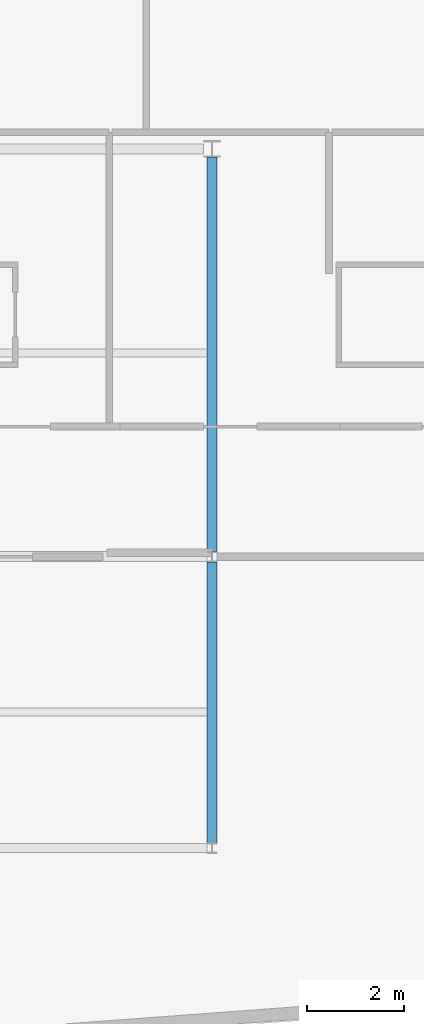
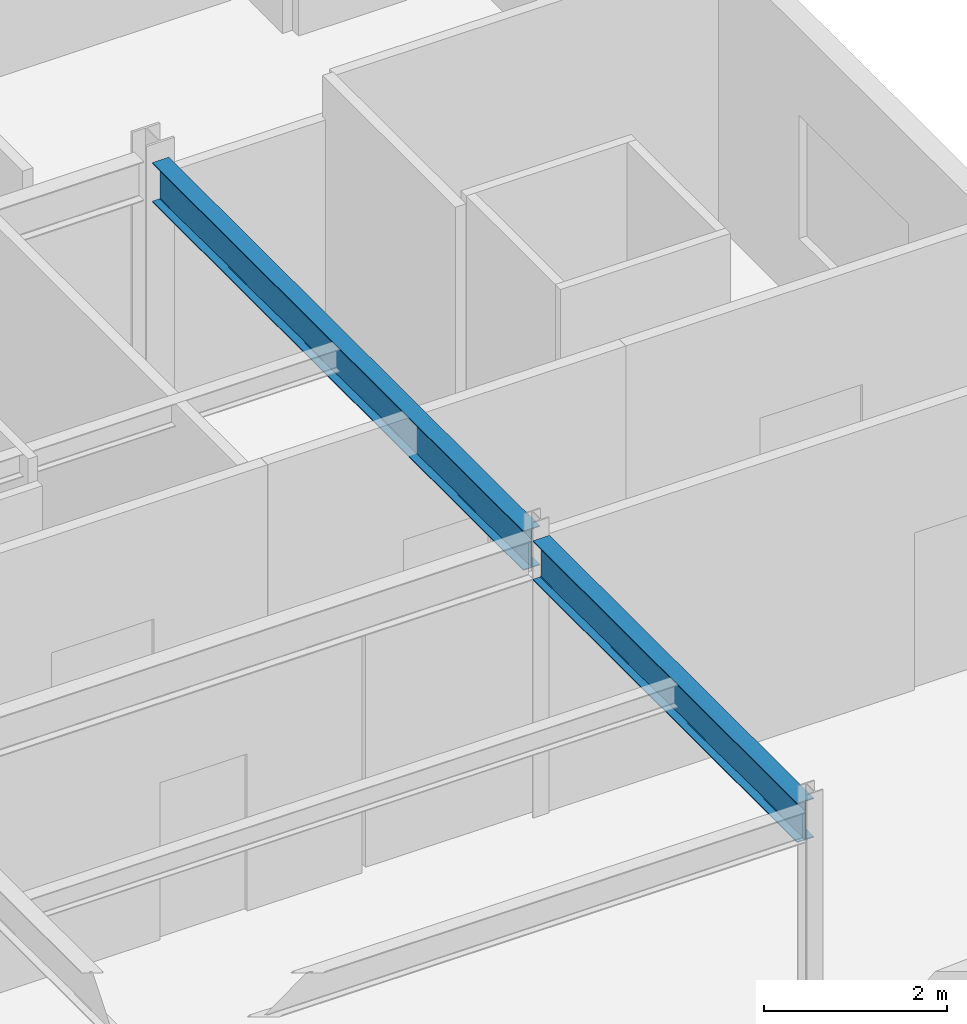
# One storey, part 7 of 15: 2 beams.
"""IFC4 building model written with IfcOpenShell, lengths in metres."""

import ifcopenshell
import ifcopenshell.guid

model = None  # the IFC model being written
_history = None  # IfcOwnerHistory: only IFC2X3 demands one
_inside = {}  # id of a spatial element -> (the spatial element, [elements in it])
_under = {}  # id of a project, library or spatial element -> (it, [spatial elements below it])
_declared = {}  # id of a project -> (the project, [libraries it declares])
_typed = {}  # id of a type object -> (the type object, [elements of that type])
_made_of = {}  # id of a material, layer set ... -> (it, [elements and type objects made of it])


def new_model(schema):
    """Start an empty IFC model of exactly this schema.

    Asked for "IFC4X3", IfcOpenShell would pick the latest addendum, in which some entities
    have other attributes; the version numbers below select the first issue.
    IFC2X3 requires an IfcOwnerHistory on every rooted entity: one is made here for all.
    """
    global model, _history
    if schema == "IFC4X3":
        model = ifcopenshell.file(schema_version=(4, 3, 0, 0))
    else:
        model = ifcopenshell.file(schema=schema)
    _inside.clear()
    _under.clear()
    _declared.clear()
    _typed.clear()
    _made_of.clear()
    _history = None
    if model.schema == "IFC2X3":
        org = make("IfcOrganization", Name="unknown")
        user = make(
            "IfcPersonAndOrganization",
            ThePerson=make("IfcPerson", FamilyName="unknown"),
            TheOrganization=org,
        )
        app = make(
            "IfcApplication",
            ApplicationDeveloper=org,
            Version="unknown",
            ApplicationFullName="unknown",
            ApplicationIdentifier="unknown",
        )
        _history = make(
            "IfcOwnerHistory",
            OwningUser=user,
            OwningApplication=app,
            ChangeAction="ADDED",
            CreationDate=0,
        )
    return model


def make(cls, **values):
    """One entity of the class cls with the attributes given. An attribute that is None is left unset."""
    return model.create_entity(
        cls, **{name: value for name, value in values.items() if value is not None}
    )


def rooted(cls, **values):
    """An entity with a GlobalId (a new one), such as an element, a storey or a relation."""
    return make(cls, GlobalId=ifcopenshell.guid.new(), OwnerHistory=_history, **values)


def si_unit(unit_type, name, prefix=None):
    """IfcSIUnit, for example si_unit("LENGTHUNIT", "METRE", prefix="MILLI")."""
    return make("IfcSIUnit", UnitType=unit_type, Prefix=prefix, Name=name)


def assignment(units):
    """IfcUnitAssignment: the units of a project."""
    return None if units is None else make("IfcUnitAssignment", Units=units)


def point(xyz):
    """IfcCartesianPoint."""
    return None if xyz is None else make("IfcCartesianPoint", Coordinates=xyz)


def direction(xyz):
    """IfcDirection."""
    return None if xyz is None else make("IfcDirection", DirectionRatios=xyz)


def frame(location, z_axis=None, x_axis=None):
    """IfcAxis2Placement3D, a coordinate frame: its origin and axes. An axis left out is left unset."""
    return make(
        "IfcAxis2Placement3D",
        Location=point(location),
        Axis=direction(z_axis),
        RefDirection=direction(x_axis),
    )


def frame_2d(location, x_axis=None):
    """IfcAxis2Placement2D, a coordinate frame in the plane: its origin and x axis."""
    return make(
        "IfcAxis2Placement2D", Location=point(location), RefDirection=direction(x_axis)
    )


def origin():
    """The frame at (0, 0, 0) with its axes left unset."""
    return frame((0.0, 0.0, 0.0))


def origin_2d():
    """The frame at (0, 0) in the plane with its x axis left unset."""
    return frame_2d((0.0, 0.0))


def place(relative_to, where):
    """IfcLocalPlacement: puts the frame where relative to a parent placement (None: the world)."""
    return make(
        "IfcLocalPlacement", PlacementRelTo=relative_to, RelativePlacement=where
    )


def context(
    kind, dimensions, precision=None, world=None, true_north=None, identifier=None
):
    """IfcGeometricRepresentationContext, for example the 3D "Model" context."""
    return make(
        "IfcGeometricRepresentationContext",
        ContextIdentifier=identifier,
        ContextType=kind,
        CoordinateSpaceDimension=dimensions,
        Precision=precision,
        WorldCoordinateSystem=world,
        TrueNorth=true_north,
    )


def subcontext(parent, identifier, kind, view, scale=None):
    """IfcGeometricRepresentationSubContext, for example "Body" below "Model"."""
    return make(
        "IfcGeometricRepresentationSubContext",
        ContextIdentifier=identifier,
        ContextType=kind,
        ParentContext=parent,
        TargetScale=scale,
        TargetView=view,
    )


def project(units=None, contexts=None):
    """IfcProject with its units and contexts."""
    return rooted(
        "IfcProject",
        Name="project",
        RepresentationContexts=contexts,
        UnitsInContext=assignment(units),
    )


def spatial(cls, under=None, at=None, **own):
    """A site, building, storey or space (cls), placed at a placement, below another one or the project."""
    s = rooted(cls, ObjectPlacement=at, **own)
    if under is not None:
        _under.setdefault(under.id(), (under, []))[1].append(s)
    return s


def profile(cls, at=None, kind="AREA", **sizes):
    """A parametric profile (cls). Its sizes go by their IFC names, for example OverallWidth=200.0."""
    return make(cls, ProfileType=kind, Position=at, **sizes)


def i_section(**sizes):
    """IfcIShapeProfileDef."""
    return profile("IfcIShapeProfileDef", **sizes)


def extrude(swept, where, along, depth):
    """IfcExtrudedAreaSolid: the profile swept, set in the frame where, extruded along a direction by depth."""
    return make(
        "IfcExtrudedAreaSolid",
        SweptArea=swept,
        Position=where,
        ExtrudedDirection=direction(along),
        Depth=depth,
    )


def shape(context_of_items, identifier, shape_type, items):
    """IfcShapeRepresentation: the items that make up one representation, for example the "Body"."""
    return make(
        "IfcShapeRepresentation",
        ContextOfItems=context_of_items,
        RepresentationIdentifier=identifier,
        RepresentationType=shape_type,
        Items=items,
    )


def material(Name=None, Category=None):
    """IfcMaterial."""
    return make("IfcMaterial", Name=Name, Category=Category)


def material_profile(
    of_material, cross_section, Name=None, Category=None, Priority=None
):
    """IfcMaterialProfile: a cross section and its material."""
    return make(
        "IfcMaterialProfile",
        Name=Name,
        Material=of_material,
        Profile=cross_section,
        Priority=Priority,
        Category=Category,
    )


def profile_set(profiles, Name=None, composite=None):
    """IfcMaterialProfileSet."""
    return make(
        "IfcMaterialProfileSet",
        Name=Name,
        MaterialProfiles=profiles,
        CompositeProfile=composite,
    )


def made_of(thing, what):
    """Note that an element or type object is made of a material, layer set ...; save() writes the relation."""
    if what is not None:
        _made_of.setdefault(what.id(), (what, []))[1].append(thing)
    return thing


def type_object(cls, material=None, **own):
    """A type object (cls), such as IfcWallType, which elements share."""
    return made_of(rooted(cls, **own), material)


def element(
    cls,
    number,
    at=None,
    inside=None,
    cuts=None,
    type_object=None,
    material=None,
    context=None,
    identifier="Body",
    shape_type=None,
    held_by="IfcProductDefinitionShape",
    body=None,
    shapes=None,
    **own,
):
    """One element of the class cls, such as IfcWall. Its Tag is "e" and its number.

    at: its placement. inside: the storey or other place that contains it. cuts: it is an
    opening in that element (IfcRelVoidsElement). A single representation is given by context,
    identifier, shape_type and body (its items); several are given by shapes. held_by: the class
    of the entity that holds the representations. save() writes the other relations.
    """
    e = rooted(cls, Tag="e%d" % number, ObjectPlacement=at, **own)
    if body is not None:
        shapes = [shape(context, identifier, shape_type, body)]
    if shapes is not None:
        e.Representation = make(held_by, Representations=shapes)
    if inside is not None:
        _inside.setdefault(inside.id(), (inside, []))[1].append(e)
    if cuts is not None:
        rooted(
            "IfcRelVoidsElement", RelatingBuildingElement=cuts, RelatedOpeningElement=e
        )
    if type_object is not None:
        _typed.setdefault(type_object.id(), (type_object, []))[1].append(e)
    return made_of(e, material)


def aggregate(whole, parts):
    """IfcRelAggregates: a whole, such as a stair, and the parts it consists of."""
    return rooted("IfcRelAggregates", RelatingObject=whole, RelatedObjects=parts)


def save(model, path):
    """Write the relations noted so far, then the file.

    IfcRelAggregates (storeys below a building ...), IfcRelContainedInSpatialStructure (elements
    in a storey), IfcRelDefinesByType, IfcRelAssociatesMaterial and IfcRelDeclares: one each for
    every whole, place, type object, material and project.
    """
    for whole, parts in _under.values():
        aggregate(whole, parts)
    for where, things in _inside.values():
        rooted(
            "IfcRelContainedInSpatialStructure",
            RelatedElements=things,
            RelatingStructure=where,
        )
    for kind, things in _typed.values():
        rooted("IfcRelDefinesByType", RelatedObjects=things, RelatingType=kind)
    for what, things in _made_of.values():
        rooted("IfcRelAssociatesMaterial", RelatedObjects=things, RelatingMaterial=what)
    for by, libraries in _declared.values():
        rooted("IfcRelDeclares", RelatingContext=by, RelatedDefinitions=libraries)
    model.write(path)


model = new_model("IFC4")

# Units and contexts
model_context = context("Model", 3, precision=1e-05, world=origin(), true_north=direction((0.0, 1.0)))
body_context = subcontext(model_context, "Body", "Model", "MODEL_VIEW")
ifc_project = project(units=[si_unit("LENGTHUNIT", "METRE"), si_unit("AREAUNIT", "SQUARE_METRE"), si_unit("VOLUMEUNIT", "CUBIC_METRE"), si_unit("PLANEANGLEUNIT", "RADIAN"), si_unit("MASSUNIT", "GRAM", prefix="KILO")], contexts=[model_context])

# Site, building, storey
site_placement = place(None, origin())
site = spatial("IfcSite", under=ifc_project, at=site_placement, CompositionType="ELEMENT")
building_placement = place(site_placement, origin())
building = spatial("IfcBuilding", under=site, at=building_placement, Name="Varnakote Quay Hospital", CompositionType="ELEMENT")
storey_placement = place(building_placement, frame((0.0, 0.0, 284.199951171875)))
storey = spatial("IfcBuildingStorey", under=building, at=storey_placement, Name="L70", CompositionType="ELEMENT", Elevation=284.199951171875)

# Beams
ifc_material = material(Name="Structural steel AS/NZS 3679.1 Grade 350 L0 (fy 340 MPa)", Category="steel")
ifc_material_profile = material_profile(ifc_material, i_section(OverallWidth=0.208984375, OverallDepth=0.528076171875, WebThickness=0.009521484375, FlangeThickness=0.01318359375, FilletRadius=0.013916015625, at=origin_2d()), Name="530UB82.0")
ifc_profile_set = profile_set([ifc_material_profile], Name="Structural steel AS/NZS 3679.1 Grade 350 L0 (fy 340 MPa)")
beam_type = type_object("IfcBeamType", Name="BM-STL-530UB82-0", PredefinedType="BEAM", material=ifc_profile_set)
beam_1_placement = place(storey_placement, frame((33.60009765625, 6.10498046875, 3.446044921875), z_axis=(0.0, 1.0, 0.0), x_axis=(-1.0, 0.0, 0.0)))
element("IfcBeam", 1, at=beam_1_placement, inside=storey, type_object=beam_type, Name="L70 Primary Tie Beam", PredefinedType="BEAM", context=body_context, shape_type="SweptSolid", body=[
    extrude(i_section(OverallWidth=0.208984375, OverallDepth=0.528076171875, WebThickness=0.009521484375, FlangeThickness=0.01318359375, FilletRadius=0.013916015625, at=origin_2d()), origin(), (0.0, 0.0, 1.0), 5.7900390625),
])
beam_2_placement = place(storey_placement, frame((33.60009765625, 12.10498046875, 3.446044921875), z_axis=(0.0, 1.0, 0.0), x_axis=(-1.0, 0.0, 0.0)))
element("IfcBeam", 2, at=beam_2_placement, inside=storey, type_object=beam_type, Name="L70 Primary Tie Beam", PredefinedType="BEAM", context=body_context, shape_type="SweptSolid", body=[
    extrude(i_section(OverallWidth=0.208984375, OverallDepth=0.528076171875, WebThickness=0.009521484375, FlangeThickness=0.01318359375, FilletRadius=0.013916015625, at=origin_2d()), origin(), (0.0, 0.0, 1.0), 8.125),
])

save(model, "model.ifc")
